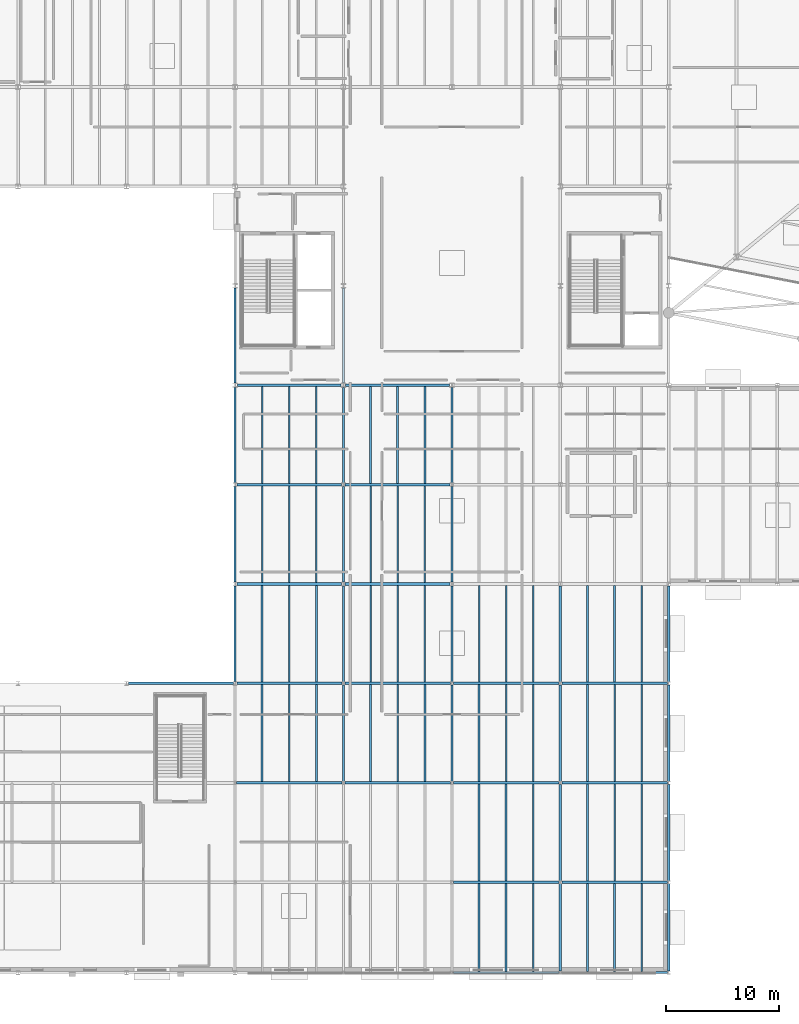
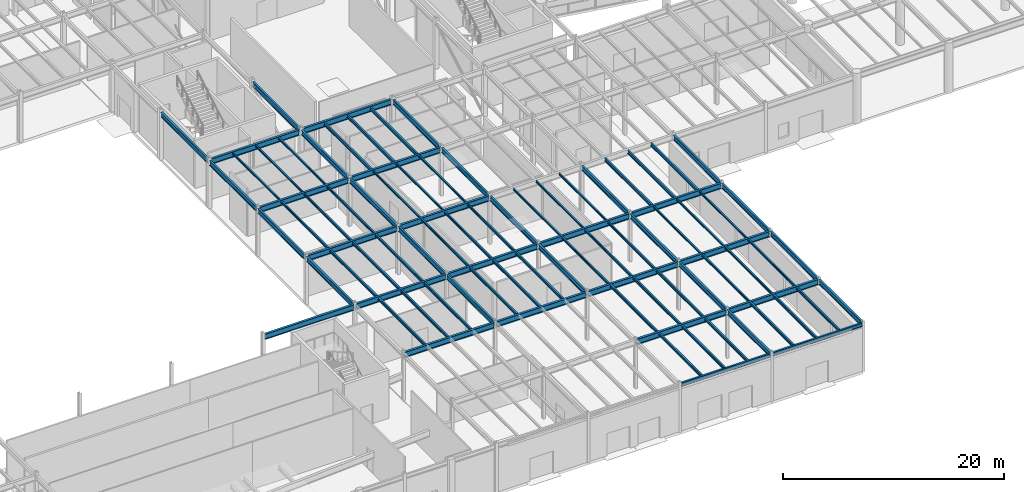
# One storey, part 20 of 70: 88 beams.
"""IFC4 building model written with IfcOpenShell, lengths in metres."""

from ifc_helpers import new_model, si_unit, direction, frame, origin, origin_2d, place, context, subcontext, project, spatial, i_section, extrude, material, material_profile, profile_set, type_object, element, save


model = new_model("IFC4")

# Units and contexts
model_context = context("Model", 3, precision=1e-05, world=origin(), true_north=direction((0.0, 1.0)))
body_context = subcontext(model_context, "Body", "Model", "MODEL_VIEW")
ifc_project = project(units=[si_unit("LENGTHUNIT", "METRE"), si_unit("AREAUNIT", "SQUARE_METRE"), si_unit("VOLUMEUNIT", "CUBIC_METRE"), si_unit("PLANEANGLEUNIT", "RADIAN"), si_unit("MASSUNIT", "GRAM", prefix="KILO")], contexts=[model_context])

# Site, building, storey
site_placement = place(None, origin())
site = spatial("IfcSite", under=ifc_project, at=site_placement, CompositionType="ELEMENT")
building_placement = place(site_placement, origin())
building = spatial("IfcBuilding", under=site, at=building_placement, Name="Sarnbrook Museum", CompositionType="ELEMENT")
storey_placement = place(building_placement, origin())
storey = spatial("IfcBuildingStorey", under=building, at=storey_placement, Name="L00", CompositionType="ELEMENT", Elevation=0.0)

# Beams
ifc_material = material(Name="Structural Steel Grade 300PLUS (AS/NZS 3679.1, fy = 280 MPa for 17 < t <= 40 mm, 300 MPa for t <= 17 mm)", Category="steel")
ifc_material_profile_1 = material_profile(ifc_material, i_section(OverallWidth=0.208984375, OverallDepth=0.532958984375, WebThickness=0.01025390625, FlangeThickness=0.015625, FilletRadius=0.013916015625, at=origin_2d()), Name="530UB92.4")
ifc_profile_set_1 = profile_set([ifc_material_profile_1], Name="Structural Steel Grade 300PLUS (AS/NZS 3679.1, fy = 280 MPa for 17 < t <= 40 mm, 300 MPa for t <= 17 mm)")
beam_type_1 = type_object("IfcBeamType", Name="BM-UB530", PredefinedType="BEAM", material=ifc_profile_set_1)
beam_1_placement = place(storey_placement, frame((80.800048828125, 30.5634765625, 5.08349609375), z_axis=(0.0, 1.0, 0.0), x_axis=(-1.0, 0.0, 0.0)))
element("IfcBeam", 1, at=beam_1_placement, inside=storey, type_object=beam_type_1, Name="Girder 9:D-E L00", PredefinedType="BEAM", context=body_context, shape_type="SweptSolid", body=[
    extrude(i_section(OverallWidth=0.208984375, OverallDepth=0.532958984375, WebThickness=0.01025390625, FlangeThickness=0.015625, FilletRadius=0.013916015625, at=origin_2d()), origin(), (0.0, 0.0, 1.0), 8.47314453125),
])
beam_2_placement = place(storey_placement, frame((80.800048828125, 39.363525390625, 5.08349609375), z_axis=(0.0, 1.0, 0.0), x_axis=(-1.0, 0.0, 0.0)))
element("IfcBeam", 2, at=beam_2_placement, inside=storey, type_object=beam_type_1, Name="Girder 9:E-F L00", PredefinedType="BEAM", context=body_context, shape_type="SweptSolid", body=[
    extrude(i_section(OverallWidth=0.208984375, OverallDepth=0.532958984375, WebThickness=0.01025390625, FlangeThickness=0.015625, FilletRadius=0.013916015625, at=origin_2d()), origin(), (0.0, 0.0, 1.0), 8.472900390625),
])
beam_3_placement = place(storey_placement, frame((80.800048828125, 48.16357421875, 5.08349609375), z_axis=(0.0, 1.0, 0.0), x_axis=(-1.0, 0.0, 0.0)))
element("IfcBeam", 3, at=beam_3_placement, inside=storey, type_object=beam_type_1, Name="Girder 9:F-G L00", PredefinedType="BEAM", context=body_context, shape_type="SweptSolid", body=[
    extrude(i_section(OverallWidth=0.208984375, OverallDepth=0.532958984375, WebThickness=0.01025390625, FlangeThickness=0.015625, FilletRadius=0.013916015625, at=origin_2d()), origin(), (0.0, 0.0, 1.0), 8.4453125),
])
beam_4_placement = place(storey_placement, frame((80.800048828125, 56.990966796875, 5.08349609375), z_axis=(0.0, 1.0, 0.0), x_axis=(-1.0, 0.0, 0.0)))
element("IfcBeam", 4, at=beam_4_placement, inside=storey, type_object=beam_type_1, Name="Girder 9:G-H L00", PredefinedType="BEAM", context=body_context, shape_type="SweptSolid", body=[
    extrude(i_section(OverallWidth=0.208984375, OverallDepth=0.532958984375, WebThickness=0.01025390625, FlangeThickness=0.015625, FilletRadius=0.013916015625, at=origin_2d()), origin(), (0.0, 0.0, 1.0), 8.41796875),
])
beam_5_placement = place(storey_placement, frame((90.39990234375, 21.72998046875, 5.08349609375), z_axis=(0.0, 1.0, 0.0), x_axis=(-1.0, 0.0, 0.0)))
element("IfcBeam", 5, at=beam_5_placement, inside=storey, type_object=beam_type_1, Name="Girder 10:C-D L00", PredefinedType="BEAM", context=body_context, shape_type="SweptSolid", body=[
    extrude(i_section(OverallWidth=0.208984375, OverallDepth=0.532958984375, WebThickness=0.01025390625, FlangeThickness=0.015625, FilletRadius=0.013916015625, at=origin_2d()), origin(), (0.0, 0.0, 1.0), 8.5400390625),
])
beam_6_placement = place(storey_placement, frame((90.39990234375, 30.530029296875, 5.08349609375), z_axis=(0.0, 1.0, 0.0), x_axis=(-1.0, 0.0, 0.0)))
element("IfcBeam", 6, at=beam_6_placement, inside=storey, type_object=beam_type_1, Name="Girder 10:D-E L00", PredefinedType="BEAM", context=body_context, shape_type="SweptSolid", body=[
    extrude(i_section(OverallWidth=0.208984375, OverallDepth=0.532958984375, WebThickness=0.01025390625, FlangeThickness=0.015625, FilletRadius=0.013916015625, at=origin_2d()), origin(), (0.0, 0.0, 1.0), 8.506591796875),
])
beam_7_placement = place(storey_placement, frame((90.39990234375, 39.363525390625, 5.08349609375), z_axis=(0.0, 1.0, 0.0), x_axis=(-1.0, 0.0, 0.0)))
element("IfcBeam", 7, at=beam_7_placement, inside=storey, type_object=beam_type_1, Name="Girder 10:E-F L00", PredefinedType="BEAM", context=body_context, shape_type="SweptSolid", body=[
    extrude(i_section(OverallWidth=0.208984375, OverallDepth=0.532958984375, WebThickness=0.01025390625, FlangeThickness=0.015625, FilletRadius=0.013916015625, at=origin_2d()), origin(), (0.0, 0.0, 1.0), 8.472900390625),
])
beam_8_placement = place(storey_placement, frame((90.39990234375, 48.16357421875, 5.08349609375), z_axis=(0.0, 1.0, 0.0), x_axis=(-1.0, 0.0, 0.0)))
element("IfcBeam", 8, at=beam_8_placement, inside=storey, type_object=beam_type_1, Name="Girder 10:F-G L00", PredefinedType="BEAM", context=body_context, shape_type="SweptSolid", body=[
    extrude(i_section(OverallWidth=0.208984375, OverallDepth=0.532958984375, WebThickness=0.01025390625, FlangeThickness=0.015625, FilletRadius=0.013916015625, at=origin_2d()), origin(), (0.0, 0.0, 1.0), 8.4453125),
])
beam_9_placement = place(storey_placement, frame((90.39990234375, 56.990966796875, 5.08349609375), z_axis=(0.0, 1.0, 0.0), x_axis=(-1.0, 0.0, 0.0)))
element("IfcBeam", 9, at=beam_9_placement, inside=storey, type_object=beam_type_1, Name="Girder 10:G-H L00", PredefinedType="BEAM", context=body_context, shape_type="SweptSolid", body=[
    extrude(i_section(OverallWidth=0.208984375, OverallDepth=0.532958984375, WebThickness=0.01025390625, FlangeThickness=0.015625, FilletRadius=0.013916015625, at=origin_2d()), origin(), (0.0, 0.0, 1.0), 8.41796875),
])
beam_10_placement = place(storey_placement, frame((100.0, 21.72998046875, 5.08349609375), z_axis=(0.0, 1.0, 0.0), x_axis=(-1.0, 0.0, 0.0)))
element("IfcBeam", 10, at=beam_10_placement, inside=storey, type_object=beam_type_1, Name="Girder 11:C-D L00", PredefinedType="BEAM", context=body_context, shape_type="SweptSolid", body=[
    extrude(i_section(OverallWidth=0.208984375, OverallDepth=0.532958984375, WebThickness=0.01025390625, FlangeThickness=0.015625, FilletRadius=0.013916015625, at=origin_2d()), origin(), (0.0, 0.0, 1.0), 8.5400390625),
])
beam_11_placement = place(storey_placement, frame((100.0, 30.530029296875, 5.08349609375), z_axis=(0.0, 1.0, 0.0), x_axis=(-1.0, 0.0, 0.0)))
element("IfcBeam", 11, at=beam_11_placement, inside=storey, type_object=beam_type_1, Name="Girder 11:D-E L00", PredefinedType="BEAM", context=body_context, shape_type="SweptSolid", body=[
    extrude(i_section(OverallWidth=0.208984375, OverallDepth=0.532958984375, WebThickness=0.01025390625, FlangeThickness=0.015625, FilletRadius=0.013916015625, at=origin_2d()), origin(), (0.0, 0.0, 1.0), 8.506591796875),
])
beam_12_placement = place(storey_placement, frame((100.0, 39.363525390625, 5.08349609375), z_axis=(0.0, 1.0, 0.0), x_axis=(-1.0, 0.0, 0.0)))
element("IfcBeam", 12, at=beam_12_placement, inside=storey, type_object=beam_type_1, Name="Girder 11:E-F L00", PredefinedType="BEAM", context=body_context, shape_type="SweptSolid", body=[
    extrude(i_section(OverallWidth=0.208984375, OverallDepth=0.532958984375, WebThickness=0.01025390625, FlangeThickness=0.015625, FilletRadius=0.013916015625, at=origin_2d()), origin(), (0.0, 0.0, 1.0), 8.472900390625),
])
beam_13_placement = place(storey_placement, frame((100.0, 48.16357421875, 5.08349609375), z_axis=(0.0, 1.0, 0.0), x_axis=(-1.0, 0.0, 0.0)))
element("IfcBeam", 13, at=beam_13_placement, inside=storey, type_object=beam_type_1, Name="Girder 11:F-G L00", PredefinedType="BEAM", context=body_context, shape_type="SweptSolid", body=[
    extrude(i_section(OverallWidth=0.208984375, OverallDepth=0.532958984375, WebThickness=0.01025390625, FlangeThickness=0.015625, FilletRadius=0.013916015625, at=origin_2d()), origin(), (0.0, 0.0, 1.0), 8.4453125),
])
beam_14_placement = place(storey_placement, frame((109.60009765625, 4.929931640625, 5.12353515625), z_axis=(0.0, 1.0, 0.0), x_axis=(-1.0, 0.0, 0.0)))
element("IfcBeam", 14, at=beam_14_placement, inside=storey, type_object=beam_type_1, Name="Girder 12:A-B L00", PredefinedType="BEAM", context=body_context, shape_type="SweptSolid", body=[
    extrude(i_section(OverallWidth=0.208984375, OverallDepth=0.532958984375, WebThickness=0.01025390625, FlangeThickness=0.015625, FilletRadius=0.013916015625, at=origin_2d()), origin(), (0.0, 0.0, 1.0), 7.739990234375),
])
for number, where, z_axis, x_axis, name in (
    (15, (109.60009765625, 12.929931640625, 5.12353515625), (0.0, 1.0, 0.0), (-1.0, 0.0, 0.0), "Girder 12:B-C L00"),
    (16, (109.60009765625, 21.72998046875, 5.08349609375), (0.0, 1.0, 0.0), (-1.0, 0.0, 0.0), "Girder 12:C-D L00"),
):
    element("IfcBeam", number, at=place(storey_placement, frame(where, z_axis=z_axis, x_axis=x_axis)), inside=storey, type_object=beam_type_1, Name=name, PredefinedType="BEAM", context=body_context, shape_type="SweptSolid", body=[
        extrude(i_section(OverallWidth=0.208984375, OverallDepth=0.532958984375, WebThickness=0.01025390625, FlangeThickness=0.015625, FilletRadius=0.013916015625, at=origin_2d()), origin(), (0.0, 0.0, 1.0), 8.5400390625),
    ])
beam_15_placement = place(storey_placement, frame((109.60009765625, 30.530029296875, 5.08349609375), z_axis=(0.0, 1.0, 0.0), x_axis=(-1.0, 0.0, 0.0)))
element("IfcBeam", 17, at=beam_15_placement, inside=storey, type_object=beam_type_1, Name="Girder 12:D-E L00", PredefinedType="BEAM", context=body_context, shape_type="SweptSolid", body=[
    extrude(i_section(OverallWidth=0.208984375, OverallDepth=0.532958984375, WebThickness=0.01025390625, FlangeThickness=0.015625, FilletRadius=0.013916015625, at=origin_2d()), origin(), (0.0, 0.0, 1.0), 8.506591796875),
])
beam_16_placement = place(storey_placement, frame((119.199951171875, 4.929931640625, 5.12353515625), z_axis=(0.0, 1.0, 0.0), x_axis=(-1.0, 0.0, 0.0)))
element("IfcBeam", 18, at=beam_16_placement, inside=storey, type_object=beam_type_1, Name="Girder 13:A-B L00", PredefinedType="BEAM", context=body_context, shape_type="SweptSolid", body=[
    extrude(i_section(OverallWidth=0.208984375, OverallDepth=0.532958984375, WebThickness=0.01025390625, FlangeThickness=0.015625, FilletRadius=0.013916015625, at=origin_2d()), origin(), (0.0, 0.0, 1.0), 7.739990234375),
])
for number, where, z_axis, x_axis, name in (
    (19, (119.199951171875, 12.929931640625, 5.12353515625), (0.0, 1.0, 0.0), (-1.0, 0.0, 0.0), "Girder 13:B-C L00"),
    (20, (119.199951171875, 21.72998046875, 5.08349609375), (0.0, 1.0, 0.0), (-1.0, 0.0, 0.0), "Girder 13:C-D L00"),
):
    element("IfcBeam", number, at=place(storey_placement, frame(where, z_axis=z_axis, x_axis=x_axis)), inside=storey, type_object=beam_type_1, Name=name, PredefinedType="BEAM", context=body_context, shape_type="SweptSolid", body=[
        extrude(i_section(OverallWidth=0.208984375, OverallDepth=0.532958984375, WebThickness=0.01025390625, FlangeThickness=0.015625, FilletRadius=0.013916015625, at=origin_2d()), origin(), (0.0, 0.0, 1.0), 8.5400390625),
    ])
beam_17_placement = place(storey_placement, frame((119.199951171875, 30.530029296875, 5.08349609375), z_axis=(0.0, 1.0, 0.0), x_axis=(-1.0, 0.0, 0.0)))
element("IfcBeam", 21, at=beam_17_placement, inside=storey, type_object=beam_type_1, Name="Girder 13:D-E L00", PredefinedType="BEAM", context=body_context, shape_type="SweptSolid", body=[
    extrude(i_section(OverallWidth=0.208984375, OverallDepth=0.532958984375, WebThickness=0.01025390625, FlangeThickness=0.015625, FilletRadius=0.013916015625, at=origin_2d()), origin(), (0.0, 0.0, 1.0), 8.506591796875),
])
ifc_material_profile_2 = material_profile(ifc_material, i_section(OverallWidth=0.22900390625, OverallDepth=0.612060546875, WebThickness=0.011962890625, FlangeThickness=0.01953125, FilletRadius=0.013916015625, at=origin_2d()), Name="610UB125")
ifc_profile_set_2 = profile_set([ifc_material_profile_2], Name="Structural Steel Grade 300PLUS (AS/NZS 3679.1, fy = 280 MPa for 17 < t <= 40 mm, 300 MPa for t <= 17 mm)")
beam_type_2 = type_object("IfcBeamType", Name="BM-UB610H", PredefinedType="BEAM", material=ifc_profile_set_2)
for number, where, z_axis, x_axis, name in (
    (22, (100.1279296875, 12.800048828125, 5.083984375), (1.0, 0.0, 0.0), (0.0, 1.0, 0.0), "Girder B:11-12 L00"),
    (23, (109.72802734375, 12.800048828125, 5.083984375), (1.0, 0.0, 0.0), (0.0, 1.0, 0.0), "Girder B:12-13 L00"),
    (24, (80.927978515625, 21.60009765625, 5.0439453125), (1.0, 0.0, 0.0), (0.0, 1.0, 0.0), "Girder C:9-10 L00"),
    (25, (90.528076171875, 21.60009765625, 5.0439453125), (1.0, 0.0, 0.0), (0.0, 1.0, 0.0), "Girder C:10-11 L00"),
    (26, (100.1279296875, 21.60009765625, 5.0439453125), (1.0, 0.0, 0.0), (0.0, 1.0, 0.0), "Girder C:11-12 L00"),
    (27, (109.72802734375, 21.60009765625, 5.0439453125), (1.0, 0.0, 0.0), (0.0, 1.0, 0.0), "Girder C:12-13 L00"),
):
    element("IfcBeam", number, at=place(storey_placement, frame(where, z_axis=z_axis, x_axis=x_axis)), inside=storey, type_object=beam_type_2, Name=name, PredefinedType="BEAM", context=body_context, shape_type="SweptSolid", body=[
        extrude(i_section(OverallWidth=0.22900390625, OverallDepth=0.612060546875, WebThickness=0.011962890625, FlangeThickness=0.01953125, FilletRadius=0.013916015625, at=origin_2d()), origin(), (0.0, 0.0, 1.0), 9.343994140625),
    ])
beam_18_placement = place(storey_placement, frame((71.35546875, 30.39990234375, 5.0439453125), z_axis=(1.0, 0.0, 0.0), x_axis=(0.0, 1.0, 0.0)))
element("IfcBeam", 28, at=beam_18_placement, inside=storey, type_object=beam_type_2, Name="Girder D:8-9 L00", PredefinedType="BEAM", context=body_context, shape_type="SweptSolid", body=[
    extrude(i_section(OverallWidth=0.22900390625, OverallDepth=0.612060546875, WebThickness=0.011962890625, FlangeThickness=0.01953125, FilletRadius=0.013916015625, at=origin_2d()), origin(), (0.0, 0.0, 1.0), 9.2890625),
])
beam_19_placement = place(storey_placement, frame((80.95556640625, 30.39990234375, 5.0439453125), z_axis=(1.0, 0.0, 0.0), x_axis=(0.0, 1.0, 0.0)))
element("IfcBeam", 29, at=beam_19_placement, inside=storey, type_object=beam_type_2, Name="Girder D:9-10 L00", PredefinedType="BEAM", context=body_context, shape_type="SweptSolid", body=[
    extrude(i_section(OverallWidth=0.22900390625, OverallDepth=0.612060546875, WebThickness=0.011962890625, FlangeThickness=0.01953125, FilletRadius=0.013916015625, at=origin_2d()), origin(), (0.0, 0.0, 1.0), 9.31640625),
])
for number, where, z_axis, x_axis, name in (
    (30, (90.528076171875, 30.39990234375, 5.0439453125), (1.0, 0.0, 0.0), (0.0, 1.0, 0.0), "Girder D:10-11 L00"),
    (31, (100.1279296875, 30.39990234375, 5.0439453125), (1.0, 0.0, 0.0), (0.0, 1.0, 0.0), "Girder D:11-12 L00"),
    (32, (109.72802734375, 30.39990234375, 5.0439453125), (1.0, 0.0, 0.0), (0.0, 1.0, 0.0), "Girder D:12-13 L00"),
):
    element("IfcBeam", number, at=place(storey_placement, frame(where, z_axis=z_axis, x_axis=x_axis)), inside=storey, type_object=beam_type_2, Name=name, PredefinedType="BEAM", context=body_context, shape_type="SweptSolid", body=[
        extrude(i_section(OverallWidth=0.22900390625, OverallDepth=0.612060546875, WebThickness=0.011962890625, FlangeThickness=0.01953125, FilletRadius=0.013916015625, at=origin_2d()), origin(), (0.0, 0.0, 1.0), 9.343994140625),
    ])
beam_20_placement = place(storey_placement, frame((80.95556640625, 39.199951171875, 5.0439453125), z_axis=(1.0, 0.0, 0.0), x_axis=(0.0, 1.0, 0.0)))
element("IfcBeam", 33, at=beam_20_placement, inside=storey, type_object=beam_type_2, Name="Girder E:9-10 L00", PredefinedType="BEAM", context=body_context, shape_type="SweptSolid", body=[
    extrude(i_section(OverallWidth=0.22900390625, OverallDepth=0.612060546875, WebThickness=0.011962890625, FlangeThickness=0.01953125, FilletRadius=0.013916015625, at=origin_2d()), origin(), (0.0, 0.0, 1.0), 9.288818359375),
])
beam_21_placement = place(storey_placement, frame((90.555419921875, 39.199951171875, 5.0439453125), z_axis=(1.0, 0.0, 0.0), x_axis=(0.0, 1.0, 0.0)))
element("IfcBeam", 34, at=beam_21_placement, inside=storey, type_object=beam_type_2, Name="Girder E:10-11 L00", PredefinedType="BEAM", context=body_context, shape_type="SweptSolid", body=[
    extrude(i_section(OverallWidth=0.22900390625, OverallDepth=0.612060546875, WebThickness=0.011962890625, FlangeThickness=0.01953125, FilletRadius=0.013916015625, at=origin_2d()), origin(), (0.0, 0.0, 1.0), 9.2890625),
])
beam_22_placement = place(storey_placement, frame((80.95556640625, 48.0, 5.0439453125), z_axis=(1.0, 0.0, 0.0), x_axis=(0.0, 1.0, 0.0)))
element("IfcBeam", 35, at=beam_22_placement, inside=storey, type_object=beam_type_2, Name="Girder F:9-10 L00", PredefinedType="BEAM", context=body_context, shape_type="SweptSolid", body=[
    extrude(i_section(OverallWidth=0.22900390625, OverallDepth=0.612060546875, WebThickness=0.011962890625, FlangeThickness=0.01953125, FilletRadius=0.013916015625, at=origin_2d()), origin(), (0.0, 0.0, 1.0), 9.288818359375),
])
beam_23_placement = place(storey_placement, frame((90.555419921875, 48.0, 5.0439453125), z_axis=(1.0, 0.0, 0.0), x_axis=(0.0, 1.0, 0.0)))
element("IfcBeam", 36, at=beam_23_placement, inside=storey, type_object=beam_type_2, Name="Girder F:10-11 L00", PredefinedType="BEAM", context=body_context, shape_type="SweptSolid", body=[
    extrude(i_section(OverallWidth=0.22900390625, OverallDepth=0.612060546875, WebThickness=0.011962890625, FlangeThickness=0.01953125, FilletRadius=0.013916015625, at=origin_2d()), origin(), (0.0, 0.0, 1.0), 9.2890625),
])
for number, where, z_axis, x_axis, name in (
    (37, (81.0, 56.800048828125, 5.0439453125), (1.0, 0.0, 0.0), (0.0, 1.0, 0.0), "Girder G:9-10 L00"),
    (38, (90.60009765625, 56.800048828125, 5.0439453125), (1.0, 0.0, 0.0), (0.0, 1.0, 0.0), "Girder G:10-11 L00"),
):
    element("IfcBeam", number, at=place(storey_placement, frame(where, z_axis=z_axis, x_axis=x_axis)), inside=storey, type_object=beam_type_2, Name=name, PredefinedType="BEAM", context=body_context, shape_type="SweptSolid", body=[
        extrude(i_section(OverallWidth=0.22900390625, OverallDepth=0.612060546875, WebThickness=0.011962890625, FlangeThickness=0.01953125, FilletRadius=0.013916015625, at=origin_2d()), origin(), (0.0, 0.0, 1.0), 9.199951171875),
    ])
ifc_material_profile_3 = material_profile(ifc_material, i_section(OverallWidth=0.134033203125, OverallDepth=0.20703125, WebThickness=0.00634765625, FlangeThickness=0.009521484375, FilletRadius=0.0087890625, at=origin_2d()), Name="200UB29.8")
ifc_profile_set_3 = profile_set([ifc_material_profile_3], Name="Structural Steel Grade 300PLUS (AS/NZS 3679.1, fy = 280 MPa for 17 < t <= 40 mm, 300 MPa for t <= 17 mm)")
beam_type_3 = type_object("IfcBeamType", Name="JS-UB200", PredefinedType="JOIST", material=ifc_profile_set_3)
for number, where, z_axis, x_axis, name in (
    (39, (83.199951171875, 48.114501953125, 5.24658203125), (0.0, 1.0, 0.0), (-1.0, 0.0, 0.0), "Composite Floor Joist 9F-1 L00"),
    (40, (85.60009765625, 48.114501953125, 5.24658203125), (0.0, 1.0, 0.0), (-1.0, 0.0, 0.0), "Composite Floor Joist 9F-2 L00"),
    (41, (88.0, 48.114501953125, 5.24658203125), (0.0, 1.0, 0.0), (-1.0, 0.0, 0.0), "Composite Floor Joist 9F-3 L00"),
    (42, (92.800048828125, 39.314453125, 5.24658203125), (0.0, 1.0, 0.0), (-1.0, 0.0, 0.0), "Composite Floor Joist 10E-1 L00"),
    (43, (95.199951171875, 39.314453125, 5.24658203125), (0.0, 1.0, 0.0), (-1.0, 0.0, 0.0), "Composite Floor Joist 10E-2 L00"),
    (44, (97.60009765625, 39.314453125, 5.24658203125), (0.0, 1.0, 0.0), (-1.0, 0.0, 0.0), "Composite Floor Joist 10E-3 L00"),
    (45, (102.39990234375, 30.514404296875, 5.24658203125), (0.0, 1.0, 0.0), (-1.0, 0.0, 0.0), "Composite Floor Joist 11D-1 L00"),
    (46, (104.800048828125, 30.514404296875, 5.24658203125), (0.0, 1.0, 0.0), (-1.0, 0.0, 0.0), "Composite Floor Joist 11D-2 L00"),
    (47, (107.199951171875, 30.514404296875, 5.24658203125), (0.0, 1.0, 0.0), (-1.0, 0.0, 0.0), "Composite Floor Joist 11D-3 L00"),
):
    element("IfcBeam", number, at=place(storey_placement, frame(where, z_axis=z_axis, x_axis=x_axis)), inside=storey, type_object=beam_type_3, Name=name, PredefinedType="JOIST", context=body_context, shape_type="SweptSolid", body=[
        extrude(i_section(OverallWidth=0.134033203125, OverallDepth=0.20703125, WebThickness=0.00634765625, FlangeThickness=0.009521484375, FilletRadius=0.0087890625, at=origin_2d()), origin(), (0.0, 0.0, 1.0), 8.571044921875),
    ])
for number, where, z_axis, x_axis, name in (
    (48, (112.0, 21.714599609375, 5.24658203125), (0.0, 1.0, 0.0), (-1.0, 0.0, 0.0), "Composite Floor Joist 12C-1 L00"),
    (49, (114.39990234375, 21.714599609375, 5.24658203125), (0.0, 1.0, 0.0), (-1.0, 0.0, 0.0), "Composite Floor Joist 12C-2 L00"),
    (50, (116.800048828125, 21.714599609375, 5.24658203125), (0.0, 1.0, 0.0), (-1.0, 0.0, 0.0), "Composite Floor Joist 12C-3 L00"),
):
    element("IfcBeam", number, at=place(storey_placement, frame(where, z_axis=z_axis, x_axis=x_axis)), inside=storey, type_object=beam_type_3, Name=name, PredefinedType="JOIST", context=body_context, shape_type="SweptSolid", body=[
        extrude(i_section(OverallWidth=0.134033203125, OverallDepth=0.20703125, WebThickness=0.00634765625, FlangeThickness=0.009521484375, FilletRadius=0.0087890625, at=origin_2d()), origin(), (0.0, 0.0, 1.0), 8.57080078125),
    ])
ifc_material_profile_4 = material_profile(ifc_material, i_section(OverallWidth=0.14599609375, OverallDepth=0.256103515625, WebThickness=0.00634765625, FlangeThickness=0.010986328125, FilletRadius=0.0087890625, at=origin_2d()), Name="250UB37.3")
ifc_profile_set_4 = profile_set([ifc_material_profile_4], Name="Structural Steel Grade 300PLUS (AS/NZS 3679.1, fy = 280 MPa for 17 < t <= 40 mm, 300 MPa for t <= 17 mm)")
beam_type_4 = type_object("IfcBeamType", Name="JS-UB250", PredefinedType="JOIST", material=ifc_profile_set_4)
for number, where, z_axis, x_axis, name in (
    (51, (83.199951171875, 39.314453125, 5.221923828125), (0.0, 1.0, 0.0), (-1.0, 0.0, 0.0), "Composite Floor Joist 9E-1 L00"),
    (52, (85.60009765625, 39.314453125, 5.221923828125), (0.0, 1.0, 0.0), (-1.0, 0.0, 0.0), "Composite Floor Joist 9E-2 L00"),
    (53, (88.0, 39.314453125, 5.221923828125), (0.0, 1.0, 0.0), (-1.0, 0.0, 0.0), "Composite Floor Joist 9E-3 L00"),
    (54, (92.800048828125, 30.514404296875, 5.221923828125), (0.0, 1.0, 0.0), (-1.0, 0.0, 0.0), "Composite Floor Joist 10D-1 L00"),
    (55, (95.199951171875, 30.514404296875, 5.221923828125), (0.0, 1.0, 0.0), (-1.0, 0.0, 0.0), "Composite Floor Joist 10D-2 L00"),
    (56, (97.60009765625, 30.514404296875, 5.221923828125), (0.0, 1.0, 0.0), (-1.0, 0.0, 0.0), "Composite Floor Joist 10D-3 L00"),
):
    element("IfcBeam", number, at=place(storey_placement, frame(where, z_axis=z_axis, x_axis=x_axis)), inside=storey, type_object=beam_type_4, Name=name, PredefinedType="JOIST", context=body_context, shape_type="SweptSolid", body=[
        extrude(i_section(OverallWidth=0.14599609375, OverallDepth=0.256103515625, WebThickness=0.00634765625, FlangeThickness=0.010986328125, FilletRadius=0.0087890625, at=origin_2d()), origin(), (0.0, 0.0, 1.0), 8.571044921875),
    ])
for number, where, z_axis, x_axis, name in (
    (57, (102.39990234375, 21.714599609375, 5.221923828125), (0.0, 1.0, 0.0), (-1.0, 0.0, 0.0), "Composite Floor Joist 11C-1 L00"),
    (58, (104.800048828125, 21.714599609375, 5.221923828125), (0.0, 1.0, 0.0), (-1.0, 0.0, 0.0), "Composite Floor Joist 11C-2 L00"),
    (59, (107.199951171875, 21.714599609375, 5.221923828125), (0.0, 1.0, 0.0), (-1.0, 0.0, 0.0), "Composite Floor Joist 11C-3 L00"),
):
    element("IfcBeam", number, at=place(storey_placement, frame(where, z_axis=z_axis, x_axis=x_axis)), inside=storey, type_object=beam_type_4, Name=name, PredefinedType="JOIST", context=body_context, shape_type="SweptSolid", body=[
        extrude(i_section(OverallWidth=0.14599609375, OverallDepth=0.256103515625, WebThickness=0.00634765625, FlangeThickness=0.010986328125, FilletRadius=0.0087890625, at=origin_2d()), origin(), (0.0, 0.0, 1.0), 8.57080078125),
    ])
for number, where, z_axis, x_axis, name in (
    (60, (112.0, 12.91455078125, 5.261962890625), (0.0, 1.0, 0.0), (-1.0, 0.0, 0.0), "Composite Floor Joist 12B-1 L00"),
    (61, (114.39990234375, 12.91455078125, 5.261962890625), (0.0, 1.0, 0.0), (-1.0, 0.0, 0.0), "Composite Floor Joist 12B-2 L00"),
    (62, (116.800048828125, 12.91455078125, 5.261962890625), (0.0, 1.0, 0.0), (-1.0, 0.0, 0.0), "Composite Floor Joist 12B-3 L00"),
):
    element("IfcBeam", number, at=place(storey_placement, frame(where, z_axis=z_axis, x_axis=x_axis)), inside=storey, type_object=beam_type_4, Name=name, PredefinedType="JOIST", context=body_context, shape_type="SweptSolid", body=[
        extrude(i_section(OverallWidth=0.14599609375, OverallDepth=0.256103515625, WebThickness=0.00634765625, FlangeThickness=0.010986328125, FilletRadius=0.0087890625, at=origin_2d()), origin(), (0.0, 0.0, 1.0), 8.571044921875),
    ])
ifc_material_profile_5 = material_profile(ifc_material, i_section(OverallWidth=0.1650390625, OverallDepth=0.303955078125, WebThickness=0.006103515625, FlangeThickness=0.01025390625, FilletRadius=0.011474609375, at=origin_2d()), Name="310UB40.4")
ifc_profile_set_5 = profile_set([ifc_material_profile_5], Name="Structural Steel Grade 300PLUS (AS/NZS 3679.1, fy = 280 MPa for 17 < t <= 40 mm, 300 MPa for t <= 17 mm)")
beam_type_5 = type_object("IfcBeamType", Name="JS-UB310", PredefinedType="JOIST", material=ifc_profile_set_5)
for number, where, z_axis, x_axis, name in (
    (63, (83.199951171875, 30.514404296875, 5.197998046875), (0.0, 1.0, 0.0), (-1.0, 0.0, 0.0), "Composite Floor Joist 9D-1 L00"),
    (64, (85.60009765625, 30.514404296875, 5.197998046875), (0.0, 1.0, 0.0), (-1.0, 0.0, 0.0), "Composite Floor Joist 9D-2 L00"),
    (65, (88.0, 30.514404296875, 5.197998046875), (0.0, 1.0, 0.0), (-1.0, 0.0, 0.0), "Composite Floor Joist 9D-3 L00"),
):
    element("IfcBeam", number, at=place(storey_placement, frame(where, z_axis=z_axis, x_axis=x_axis)), inside=storey, type_object=beam_type_5, Name=name, PredefinedType="JOIST", context=body_context, shape_type="SweptSolid", body=[
        extrude(i_section(OverallWidth=0.1650390625, OverallDepth=0.303955078125, WebThickness=0.006103515625, FlangeThickness=0.01025390625, FilletRadius=0.011474609375, at=origin_2d()), origin(), (0.0, 0.0, 1.0), 8.571044921875),
    ])
for number, where, z_axis, x_axis, name in (
    (66, (92.800048828125, 21.714599609375, 5.197998046875), (0.0, 1.0, 0.0), (-1.0, 0.0, 0.0), "Composite Floor Joist 10C-1 L00"),
    (67, (95.199951171875, 21.714599609375, 5.197998046875), (0.0, 1.0, 0.0), (-1.0, 0.0, 0.0), "Composite Floor Joist 10C-2 L00"),
    (68, (97.60009765625, 21.714599609375, 5.197998046875), (0.0, 1.0, 0.0), (-1.0, 0.0, 0.0), "Composite Floor Joist 10C-3 L00"),
):
    element("IfcBeam", number, at=place(storey_placement, frame(where, z_axis=z_axis, x_axis=x_axis)), inside=storey, type_object=beam_type_5, Name=name, PredefinedType="JOIST", context=body_context, shape_type="SweptSolid", body=[
        extrude(i_section(OverallWidth=0.1650390625, OverallDepth=0.303955078125, WebThickness=0.006103515625, FlangeThickness=0.01025390625, FilletRadius=0.011474609375, at=origin_2d()), origin(), (0.0, 0.0, 1.0), 8.57080078125),
    ])
for number, where, z_axis, x_axis, name in (
    (69, (102.39990234375, 12.91455078125, 5.238037109375), (0.0, 1.0, 0.0), (-1.0, 0.0, 0.0), "Composite Floor Joist 11B-1 L00"),
    (70, (104.800048828125, 12.91455078125, 5.238037109375), (0.0, 1.0, 0.0), (-1.0, 0.0, 0.0), "Composite Floor Joist 11B-2 L00"),
    (71, (107.199951171875, 12.91455078125, 5.238037109375), (0.0, 1.0, 0.0), (-1.0, 0.0, 0.0), "Composite Floor Joist 11B-3 L00"),
):
    element("IfcBeam", number, at=place(storey_placement, frame(where, z_axis=z_axis, x_axis=x_axis)), inside=storey, type_object=beam_type_5, Name=name, PredefinedType="JOIST", context=body_context, shape_type="SweptSolid", body=[
        extrude(i_section(OverallWidth=0.1650390625, OverallDepth=0.303955078125, WebThickness=0.006103515625, FlangeThickness=0.01025390625, FilletRadius=0.011474609375, at=origin_2d()), origin(), (0.0, 0.0, 1.0), 8.571044921875),
    ])
for number, where, z_axis, x_axis, name in (
    (72, (112.0, 4.888916015625, 5.238037109375), (0.0, 1.0, 0.0), (-1.0, 0.0, 0.0), "Composite Floor Joist 12A-1 L00"),
    (73, (114.39990234375, 4.888916015625, 5.238037109375), (0.0, 1.0, 0.0), (-1.0, 0.0, 0.0), "Composite Floor Joist 12A-2 L00"),
    (74, (116.800048828125, 4.888916015625, 5.238037109375), (0.0, 1.0, 0.0), (-1.0, 0.0, 0.0), "Composite Floor Joist 12A-3 L00"),
):
    element("IfcBeam", number, at=place(storey_placement, frame(where, z_axis=z_axis, x_axis=x_axis)), inside=storey, type_object=beam_type_5, Name=name, PredefinedType="JOIST", context=body_context, shape_type="SweptSolid", body=[
        extrude(i_section(OverallWidth=0.1650390625, OverallDepth=0.303955078125, WebThickness=0.006103515625, FlangeThickness=0.01025390625, FilletRadius=0.011474609375, at=origin_2d()), origin(), (0.0, 0.0, 1.0), 7.796630859375),
    ])
ifc_material_profile_6 = material_profile(ifc_material, i_section(OverallWidth=0.166015625, OverallDepth=0.306884765625, WebThickness=0.006591796875, FlangeThickness=0.01171875, FilletRadius=0.011474609375, at=origin_2d()), Name="310UB46.2")
ifc_profile_set_6 = profile_set([ifc_material_profile_6], Name="Structural Steel Grade 300PLUS (AS/NZS 3679.1, fy = 280 MPa for 17 < t <= 40 mm, 300 MPa for t <= 17 mm)")
beam_type_6 = type_object("IfcBeamType", Name="JS-UB310H", PredefinedType="JOIST", material=ifc_profile_set_6)
for number, where, z_axis, x_axis, name in (
    (75, (83.199951171875, 21.714599609375, 5.196533203125), (0.0, 1.0, 0.0), (-1.0, 0.0, 0.0), "Composite Floor Joist 9C-1 L00"),
    (76, (85.60009765625, 21.714599609375, 5.196533203125), (0.0, 1.0, 0.0), (-1.0, 0.0, 0.0), "Composite Floor Joist 9C-2 L00"),
    (77, (88.0, 21.714599609375, 5.196533203125), (0.0, 1.0, 0.0), (-1.0, 0.0, 0.0), "Composite Floor Joist 9C-3 L00"),
):
    element("IfcBeam", number, at=place(storey_placement, frame(where, z_axis=z_axis, x_axis=x_axis)), inside=storey, type_object=beam_type_6, Name=name, PredefinedType="JOIST", context=body_context, shape_type="SweptSolid", body=[
        extrude(i_section(OverallWidth=0.166015625, OverallDepth=0.306884765625, WebThickness=0.006591796875, FlangeThickness=0.01171875, FilletRadius=0.011474609375, at=origin_2d()), origin(), (0.0, 0.0, 1.0), 8.57080078125),
    ])
for number, where, z_axis, x_axis, name in (
    (78, (102.39990234375, 4.888916015625, 5.236572265625), (0.0, 1.0, 0.0), (-1.0, 0.0, 0.0), "Composite Floor Joist 11A-1 L00"),
    (79, (104.800048828125, 4.888916015625, 5.236572265625), (0.0, 1.0, 0.0), (-1.0, 0.0, 0.0), "Composite Floor Joist 11A-2 L00"),
    (80, (107.199951171875, 4.888916015625, 5.236572265625), (0.0, 1.0, 0.0), (-1.0, 0.0, 0.0), "Composite Floor Joist 11A-3 L00"),
):
    element("IfcBeam", number, at=place(storey_placement, frame(where, z_axis=z_axis, x_axis=x_axis)), inside=storey, type_object=beam_type_6, Name=name, PredefinedType="JOIST", context=body_context, shape_type="SweptSolid", body=[
        extrude(i_section(OverallWidth=0.166015625, OverallDepth=0.306884765625, WebThickness=0.006591796875, FlangeThickness=0.01171875, FilletRadius=0.011474609375, at=origin_2d()), origin(), (0.0, 0.0, 1.0), 7.796630859375),
    ])
ifc_material_profile_7 = material_profile(ifc_material, i_section(OverallWidth=0.1708984375, OverallDepth=0.35595703125, WebThickness=0.00732421875, FlangeThickness=0.011474609375, FilletRadius=0.011474609375, at=origin_2d()), Name="360UB50.7")
ifc_profile_set_7 = profile_set([ifc_material_profile_7], Name="Structural Steel Grade 300PLUS (AS/NZS 3679.1, fy = 280 MPa for 17 < t <= 40 mm, 300 MPa for t <= 17 mm)")
beam_type_7 = type_object("IfcBeamType", Name="JS-UB360", PredefinedType="JOIST", material=ifc_profile_set_7)
for number, where, z_axis, x_axis, name in (
    (81, (92.800048828125, 48.114501953125, 5.172119140625), (0.0, 1.0, 0.0), (-1.0, 0.0, 0.0), "Composite Floor Joist 10F-1 L00"),
    (82, (95.199951171875, 48.114501953125, 5.172119140625), (0.0, 1.0, 0.0), (-1.0, 0.0, 0.0), "Composite Floor Joist 10F-2 L00"),
    (83, (97.60009765625, 48.114501953125, 5.172119140625), (0.0, 1.0, 0.0), (-1.0, 0.0, 0.0), "Composite Floor Joist 10F-3 L00"),
    (84, (112.0, 30.514404296875, 5.172119140625), (0.0, 1.0, 0.0), (-1.0, 0.0, 0.0), "Composite Floor Joist 12D-1 L00"),
    (85, (114.39990234375, 30.514404296875, 5.172119140625), (0.0, 1.0, 0.0), (-1.0, 0.0, 0.0), "Composite Floor Joist 12D-2 L00"),
    (86, (116.800048828125, 30.514404296875, 5.172119140625), (0.0, 1.0, 0.0), (-1.0, 0.0, 0.0), "Composite Floor Joist 12D-3 L00"),
):
    element("IfcBeam", number, at=place(storey_placement, frame(where, z_axis=z_axis, x_axis=x_axis)), inside=storey, type_object=beam_type_7, Name=name, PredefinedType="JOIST", context=body_context, shape_type="SweptSolid", body=[
        extrude(i_section(OverallWidth=0.1708984375, OverallDepth=0.35595703125, WebThickness=0.00732421875, FlangeThickness=0.011474609375, FilletRadius=0.011474609375, at=origin_2d()), origin(), (0.0, 0.0, 1.0), 8.571044921875),
    ])
ifc_material_profile_8 = material_profile(ifc_material, i_section(OverallWidth=0.177978515625, OverallDepth=0.406005859375, WebThickness=0.0078125, FlangeThickness=0.0126953125, FilletRadius=0.011474609375, at=origin_2d()), Name="410UB59.7")
ifc_profile_set_8 = profile_set([ifc_material_profile_8], Name="Structural Steel Grade 300PLUS (AS/NZS 3679.1, fy = 280 MPa for 17 < t <= 40 mm, 300 MPa for t <= 17 mm)")
beam_type_8 = type_object("IfcBeamType", Name="SP-UB410", PredefinedType="SPANDREL", material=ifc_profile_set_8)
for number, where, z_axis, x_axis, name in (
    (87, (100.1279296875, 4.800048828125, 5.18701171875), (1.0, 0.0, 0.0), (0.0, 1.0, 0.0), "Girder A:11-12 L00"),
    (88, (109.72802734375, 4.800048828125, 5.18701171875), (1.0, 0.0, 0.0), (0.0, 1.0, 0.0), "Girder A:12-13 L00"),
):
    element("IfcBeam", number, at=place(storey_placement, frame(where, z_axis=z_axis, x_axis=x_axis)), inside=storey, type_object=beam_type_8, Name=name, PredefinedType="SPANDREL", context=body_context, shape_type="SweptSolid", body=[
        extrude(i_section(OverallWidth=0.177978515625, OverallDepth=0.406005859375, WebThickness=0.0078125, FlangeThickness=0.0126953125, FilletRadius=0.011474609375, at=origin_2d()), origin(), (0.0, 0.0, 1.0), 9.343994140625),
    ])

save(model, "model.ifc")
